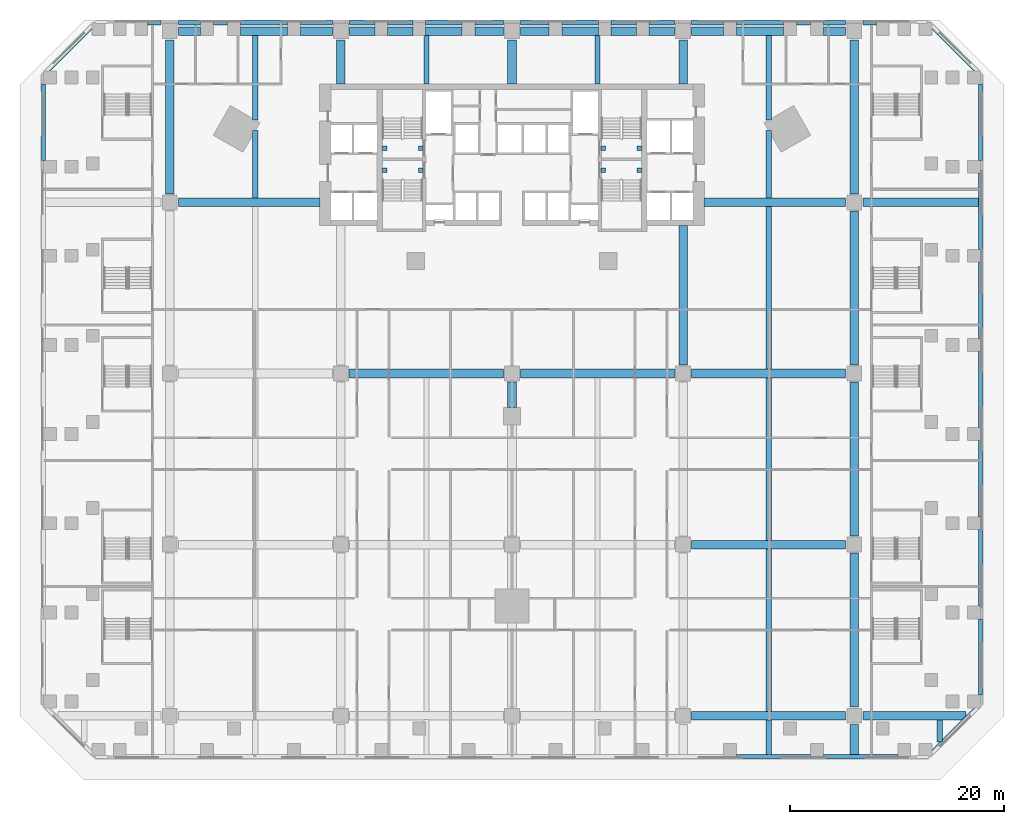
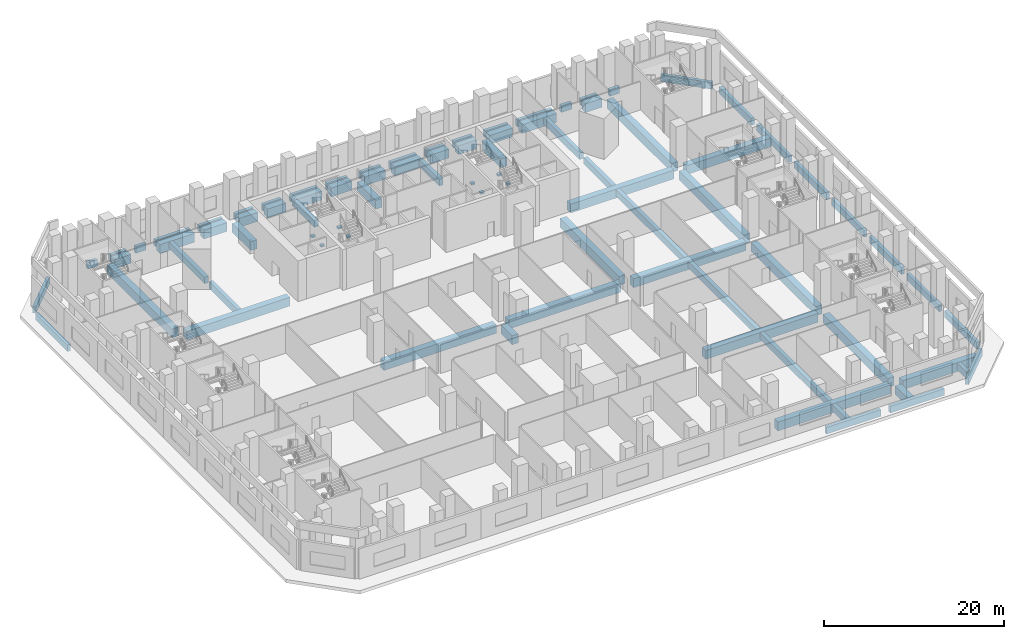
# One storey, part 2 of 22: 84 beams.
"""IFC4 building model written with IfcOpenShell, lengths in metres."""

from ifc_helpers import new_model, si_unit, direction, frame, origin, origin_2d, place, context, subcontext, project, spatial, rectangle, extrude, material, material_profile, profile_set, type_object, element, save


model = new_model("IFC4")

# Units and contexts
model_context = context("Model", 3, precision=1e-05, world=origin(), true_north=direction((0.0, 1.0)))
body_context = subcontext(model_context, "Body", "Model", "MODEL_VIEW")
ifc_project = project(units=[si_unit("LENGTHUNIT", "METRE"), si_unit("AREAUNIT", "SQUARE_METRE"), si_unit("VOLUMEUNIT", "CUBIC_METRE"), si_unit("PLANEANGLEUNIT", "RADIAN"), si_unit("MASSUNIT", "GRAM", prefix="KILO")], contexts=[model_context])

# Site, building, storey
site_placement = place(None, origin())
site = spatial("IfcSite", under=ifc_project, at=site_placement, CompositionType="ELEMENT")
building_placement = place(site_placement, origin())
building = spatial("IfcBuilding", under=site, at=building_placement, Name="Calabash Gate Tower", CompositionType="ELEMENT")
storey_placement = place(building_placement, frame((0.0, 0.0, 29.0)))
storey = spatial("IfcBuildingStorey", under=building, at=storey_placement, Name="L03", CompositionType="ELEMENT", Elevation=29.0)

# Beams
ifc_material_1 = material(Name="Concrete C50/60", Category="concrete")
ifc_material_profile_1 = material_profile(ifc_material_1, rectangle(XDim=0.39990234375, YDim=0.89990234375, at=origin_2d()))
ifc_profile_set_1 = profile_set([ifc_material_profile_1], Name="Concrete C50/60")
beam_type_1 = type_object("IfcBeamType", Name="Edge beam RC 400x900 Concrete C50/60", PredefinedType="BEAM", material=ifc_profile_set_1)
beam_1_placement = place(storey_placement, frame((-43.800048828125, 11.93701171875, -0.89990234375), z_axis=(0.0, 1.0, 0.0), x_axis=(-1.0, 0.0, 0.0)))
element("IfcBeam", 1, at=beam_1_placement, inside=storey, type_object=beam_type_1, Name="Edge beam L03 8", PredefinedType="BEAM", context=body_context, shape_type="SweptSolid", body=[
    extrude(rectangle(XDim=0.39990234375, YDim=0.89990234375, at=origin_2d()), origin(), (0.0, 0.0, 1.0), 7.132080078125),
])
beam_2_placement = place(storey_placement, frame((-43.464111328125, 20.2529296875, -0.89990234375), z_axis=(0.707106781187, 0.707106781187, 0.0), x_axis=(-0.707106781187, 0.707106781187, 0.0)))
element("IfcBeam", 2, at=beam_2_placement, inside=storey, type_object=beam_type_1, Name="Edge beam L03 9", PredefinedType="BEAM", context=body_context, shape_type="SweptSolid", body=[
    extrude(rectangle(XDim=0.39990234375, YDim=0.89990234375, at=origin_2d()), origin(), (0.0, 0.0, 1.0), 5.965087890625),
])
beam_3_placement = place(storey_placement, frame((-34.069091796875, 24.800048828125, -0.89990234375), z_axis=(1.0, 0.0, 0.0), x_axis=(0.0, 1.0, 0.0)))
element("IfcBeam", 3, at=beam_3_placement, inside=storey, type_object=beam_type_1, Name="Edge beam L03 10", PredefinedType="BEAM", context=body_context, shape_type="SweptSolid", body=[
    extrude(rectangle(XDim=0.39990234375, YDim=0.89990234375, at=origin_2d()), origin(), (0.0, 0.0, 1.0), 1.26904296875),
])
beam_4_placement = place(storey_placement, frame((-31.199951171875, 24.800048828125, -0.89990234375), z_axis=(1.0, 0.0, 0.0), x_axis=(0.0, 1.0, 0.0)))
element("IfcBeam", 4, at=beam_4_placement, inside=storey, type_object=beam_type_1, Name="Edge beam L03 11", PredefinedType="BEAM", context=body_context, shape_type="SweptSolid", body=[
    extrude(rectangle(XDim=0.39990234375, YDim=0.89990234375, at=origin_2d()), origin(), (0.0, 0.0, 1.0), 2.079833984375),
])
beam_5_placement = place(storey_placement, frame((-27.919921875, 24.800048828125, -0.89990234375), z_axis=(1.0, 0.0, 0.0), x_axis=(0.0, 1.0, 0.0)))
element("IfcBeam", 5, at=beam_5_placement, inside=storey, type_object=beam_type_1, Name="Edge beam L03 12", PredefinedType="BEAM", context=body_context, shape_type="SweptSolid", body=[
    extrude(rectangle(XDim=0.39990234375, YDim=0.89990234375, at=origin_2d()), origin(), (0.0, 0.0, 1.0), 1.31787109375),
])
beam_6_placement = place(storey_placement, frame((-25.40087890625, 24.800048828125, -0.89990234375), z_axis=(1.0, 0.0, 0.0), x_axis=(0.0, 1.0, 0.0)))
element("IfcBeam", 6, at=beam_6_placement, inside=storey, type_object=beam_type_1, Name="Edge beam L03 13", PredefinedType="BEAM", context=body_context, shape_type="SweptSolid", body=[
    extrude(rectangle(XDim=0.39990234375, YDim=0.89990234375, at=origin_2d()), origin(), (0.0, 0.0, 1.0), 4.428955078125),
])
beam_7_placement = place(storey_placement, frame((-19.77099609375, 24.800048828125, -0.89990234375), z_axis=(1.0, 0.0, 0.0), x_axis=(0.0, 1.0, 0.0)))
element("IfcBeam", 7, at=beam_7_placement, inside=storey, type_object=beam_type_1, Name="Edge beam L03 14", PredefinedType="BEAM", context=body_context, shape_type="SweptSolid", body=[
    extrude(rectangle(XDim=0.39990234375, YDim=0.89990234375, at=origin_2d()), origin(), (0.0, 0.0, 1.0), 2.970947265625),
])
beam_8_placement = place(storey_placement, frame((-15.199951171875, 24.800048828125, -0.89990234375), z_axis=(1.0, 0.0, 0.0), x_axis=(0.0, 1.0, 0.0)))
element("IfcBeam", 8, at=beam_8_placement, inside=storey, type_object=beam_type_1, Name="Edge beam L03 15", PredefinedType="BEAM", context=body_context, shape_type="SweptSolid", body=[
    extrude(rectangle(XDim=0.39990234375, YDim=0.89990234375, at=origin_2d()), origin(), (0.0, 0.0, 1.0), 2.376953125),
])
beam_9_placement = place(storey_placement, frame((-11.623046875, 24.800048828125, -0.89990234375), z_axis=(1.0, 0.0, 0.0), x_axis=(0.0, 1.0, 0.0)))
element("IfcBeam", 9, at=beam_9_placement, inside=storey, type_object=beam_type_1, Name="Edge beam L03 16", PredefinedType="BEAM", context=body_context, shape_type="SweptSolid", body=[
    extrude(rectangle(XDim=0.39990234375, YDim=0.89990234375, at=origin_2d()), origin(), (0.0, 0.0, 1.0), 2.35595703125),
])
beam_10_placement = place(storey_placement, frame((-8.06689453125, 24.800048828125, -0.89990234375), z_axis=(1.0, 0.0, 0.0), x_axis=(0.0, 1.0, 0.0)))
element("IfcBeam", 10, at=beam_10_placement, inside=storey, type_object=beam_type_1, Name="Edge beam L03 17", PredefinedType="BEAM", context=body_context, shape_type="SweptSolid", body=[
    extrude(rectangle(XDim=0.39990234375, YDim=0.89990234375, at=origin_2d()), origin(), (0.0, 0.0, 1.0), 3.392822265625),
])
for number, where, z_axis, x_axis, name in (
    (11, (-3.47412109375, 24.800048828125, -0.89990234375), (1.0, 0.0, 0.0), (0.0, 1.0, 0.0), "Edge beam L03 18"),
    (12, (0.800048828125, 24.800048828125, -0.89990234375), (1.0, 0.0, 0.0), (0.0, 1.0, 0.0), "Edge beam L03 19"),
):
    element("IfcBeam", number, at=place(storey_placement, frame(where, z_axis=z_axis, x_axis=x_axis)), inside=storey, type_object=beam_type_1, Name=name, PredefinedType="BEAM", context=body_context, shape_type="SweptSolid", body=[
        extrude(rectangle(XDim=0.39990234375, YDim=0.89990234375, at=origin_2d()), origin(), (0.0, 0.0, 1.0), 2.674072265625),
    ])
beam_11_placement = place(storey_placement, frame((4.674072265625, 24.800048828125, -0.89990234375), z_axis=(1.0, 0.0, 0.0), x_axis=(0.0, 1.0, 0.0)))
element("IfcBeam", 13, at=beam_11_placement, inside=storey, type_object=beam_type_1, Name="Edge beam L03 20", PredefinedType="BEAM", context=body_context, shape_type="SweptSolid", body=[
    extrude(rectangle(XDim=0.39990234375, YDim=0.89990234375, at=origin_2d()), origin(), (0.0, 0.0, 1.0), 3.392822265625),
])
beam_12_placement = place(storey_placement, frame((9.26708984375, 24.800048828125, -0.89990234375), z_axis=(1.0, 0.0, 0.0), x_axis=(0.0, 1.0, 0.0)))
element("IfcBeam", 14, at=beam_12_placement, inside=storey, type_object=beam_type_1, Name="Edge beam L03 21", PredefinedType="BEAM", context=body_context, shape_type="SweptSolid", body=[
    extrude(rectangle(XDim=0.39990234375, YDim=0.89990234375, at=origin_2d()), origin(), (0.0, 0.0, 1.0), 2.35595703125),
])
beam_13_placement = place(storey_placement, frame((12.822998046875, 24.800048828125, -0.89990234375), z_axis=(1.0, 0.0, 0.0), x_axis=(0.0, 1.0, 0.0)))
element("IfcBeam", 15, at=beam_13_placement, inside=storey, type_object=beam_type_1, Name="Edge beam L03 22", PredefinedType="BEAM", context=body_context, shape_type="SweptSolid", body=[
    extrude(rectangle(XDim=0.39990234375, YDim=0.89990234375, at=origin_2d()), origin(), (0.0, 0.0, 1.0), 2.376953125),
])
beam_14_placement = place(storey_placement, frame((16.800048828125, 24.800048828125, -0.89990234375), z_axis=(1.0, 0.0, 0.0), x_axis=(0.0, 1.0, 0.0)))
element("IfcBeam", 16, at=beam_14_placement, inside=storey, type_object=beam_type_1, Name="Edge beam L03 23", PredefinedType="BEAM", context=body_context, shape_type="SweptSolid", body=[
    extrude(rectangle(XDim=0.39990234375, YDim=0.89990234375, at=origin_2d()), origin(), (0.0, 0.0, 1.0), 2.970947265625),
])
beam_15_placement = place(storey_placement, frame((20.971923828125, 24.800048828125, -0.89990234375), z_axis=(1.0, 0.0, 0.0), x_axis=(0.0, 1.0, 0.0)))
element("IfcBeam", 17, at=beam_15_placement, inside=storey, type_object=beam_type_1, Name="Edge beam L03 24", PredefinedType="BEAM", context=body_context, shape_type="SweptSolid", body=[
    extrude(rectangle(XDim=0.39990234375, YDim=0.89990234375, at=origin_2d()), origin(), (0.0, 0.0, 1.0), 4.428955078125),
])
beam_16_placement = place(storey_placement, frame((26.60205078125, 24.800048828125, -0.89990234375), z_axis=(1.0, 0.0, 0.0), x_axis=(0.0, 1.0, 0.0)))
element("IfcBeam", 18, at=beam_16_placement, inside=storey, type_object=beam_type_1, Name="Edge beam L03 25", PredefinedType="BEAM", context=body_context, shape_type="SweptSolid", body=[
    extrude(rectangle(XDim=0.39990234375, YDim=0.89990234375, at=origin_2d()), origin(), (0.0, 0.0, 1.0), 1.31787109375),
])
beam_17_placement = place(storey_placement, frame((29.1201171875, 24.800048828125, -0.89990234375), z_axis=(1.0, 0.0, 0.0), x_axis=(0.0, 1.0, 0.0)))
element("IfcBeam", 19, at=beam_17_placement, inside=storey, type_object=beam_type_1, Name="Edge beam L03 26", PredefinedType="BEAM", context=body_context, shape_type="SweptSolid", body=[
    extrude(rectangle(XDim=0.39990234375, YDim=0.89990234375, at=origin_2d()), origin(), (0.0, 0.0, 1.0), 2.079833984375),
])
beam_18_placement = place(storey_placement, frame((32.800048828125, 24.800048828125, -0.89990234375), z_axis=(1.0, 0.0, 0.0), x_axis=(0.0, 1.0, 0.0)))
element("IfcBeam", 20, at=beam_18_placement, inside=storey, type_object=beam_type_1, Name="Edge beam L03 27", PredefinedType="BEAM", context=body_context, shape_type="SweptSolid", body=[
    extrude(rectangle(XDim=0.39990234375, YDim=0.89990234375, at=origin_2d()), origin(), (0.0, 0.0, 1.0), 1.26904296875),
])
beam_19_placement = place(storey_placement, frame((39.24609375, 24.470947265625, -0.89990234375), z_axis=(0.707106781187, -0.707106781187, 0.0), x_axis=(0.707106781187, 0.707106781187, 0.0)))
element("IfcBeam", 21, at=beam_19_placement, inside=storey, type_object=beam_type_1, Name="Edge beam L03 28", PredefinedType="BEAM", context=body_context, shape_type="SweptSolid", body=[
    extrude(rectangle(XDim=0.39990234375, YDim=0.89990234375, at=origin_2d()), origin(), (0.0, 0.0, 1.0), 5.965087890625),
])
beam_20_placement = place(storey_placement, frame((43.800048828125, 19.069091796875, -0.89990234375), z_axis=(0.0, -1.0, 0.0), x_axis=(1.0, 0.0, 0.0)))
element("IfcBeam", 22, at=beam_20_placement, inside=storey, type_object=beam_type_1, Name="Edge beam L03 29", PredefinedType="BEAM", context=body_context, shape_type="SweptSolid", body=[
    extrude(rectangle(XDim=0.39990234375, YDim=0.89990234375, at=origin_2d()), origin(), (0.0, 0.0, 1.0), 7.132080078125),
])
beam_21_placement = place(storey_placement, frame((43.800048828125, 10.737060546875, -0.89990234375), z_axis=(0.0, -1.0, 0.0), x_axis=(1.0, 0.0, 0.0)))
element("IfcBeam", 23, at=beam_21_placement, inside=storey, type_object=beam_type_1, Name="Edge beam L03 30", PredefinedType="BEAM", context=body_context, shape_type="SweptSolid", body=[
    extrude(rectangle(XDim=0.39990234375, YDim=0.89990234375, at=origin_2d()), origin(), (0.0, 0.0, 1.0), 7.135986328125),
])
for number, where, z_axis, x_axis, name in (
    (24, (43.800048828125, 2.40087890625, -0.89990234375), (0.0, -1.0, 0.0), (1.0, 0.0, 0.0), "Edge beam L03 31"),
    (25, (43.800048828125, -5.93310546875, -0.89990234375), (0.0, -1.0, 0.0), (1.0, 0.0, 0.0), "Edge beam L03 32"),
    (26, (43.800048828125, -14.26708984375, -0.89990234375), (0.0, -1.0, 0.0), (1.0, 0.0, 0.0), "Edge beam L03 33"),
):
    element("IfcBeam", number, at=place(storey_placement, frame(where, z_axis=z_axis, x_axis=x_axis)), inside=storey, type_object=beam_type_1, Name=name, PredefinedType="BEAM", context=body_context, shape_type="SweptSolid", body=[
        extrude(rectangle(XDim=0.39990234375, YDim=0.89990234375, at=origin_2d()), origin(), (0.0, 0.0, 1.0), 7.1337890625),
    ])
beam_22_placement = place(storey_placement, frame((43.800048828125, -22.60107421875, -0.89990234375), z_axis=(0.0, -1.0, 0.0), x_axis=(1.0, 0.0, 0.0)))
element("IfcBeam", 27, at=beam_22_placement, inside=storey, type_object=beam_type_1, Name="Edge beam L03 34", PredefinedType="BEAM", context=body_context, shape_type="SweptSolid", body=[
    extrude(rectangle(XDim=0.39990234375, YDim=0.89990234375, at=origin_2d()), origin(), (0.0, 0.0, 1.0), 7.1318359375),
])
beam_23_placement = place(storey_placement, frame((43.800048828125, -30.93310546875, -0.89990234375), z_axis=(0.0, -1.0, 0.0), x_axis=(1.0, 0.0, 0.0)))
element("IfcBeam", 28, at=beam_23_placement, inside=storey, type_object=beam_type_1, Name="Edge beam L03 35", PredefinedType="BEAM", context=body_context, shape_type="SweptSolid", body=[
    extrude(rectangle(XDim=0.39990234375, YDim=0.89990234375, at=origin_2d()), origin(), (0.0, 0.0, 1.0), 7.135986328125),
])
beam_24_placement = place(storey_placement, frame((43.470947265625, -39.24609375, -0.89990234375), z_axis=(-0.707106781187, -0.707106781187, 0.0), x_axis=(0.707106781187, -0.707106781187, 0.0)))
element("IfcBeam", 29, at=beam_24_placement, inside=storey, type_object=beam_type_1, Name="Edge beam L03 36", PredefinedType="BEAM", context=body_context, shape_type="SweptSolid", body=[
    extrude(rectangle(XDim=0.39990234375, YDim=0.89990234375, at=origin_2d()), origin(), (0.0, 0.0, 1.0), 5.974853515625),
])
beam_25_placement = place(storey_placement, frame((36.069091796875, -43.800048828125, -0.89990234375), z_axis=(-1.0, 0.0, 0.0), x_axis=(0.0, -1.0, 0.0)))
element("IfcBeam", 30, at=beam_25_placement, inside=storey, type_object=beam_type_1, Name="Edge beam L03 37", PredefinedType="BEAM", context=body_context, shape_type="SweptSolid", body=[
    extrude(rectangle(XDim=0.39990234375, YDim=0.89990234375, at=origin_2d()), origin(), (0.0, 0.0, 1.0), 6.948974609375),
])
beam_26_placement = place(storey_placement, frame((27.919921875, -43.800048828125, -0.89990234375), z_axis=(-1.0, 0.0, 0.0), x_axis=(0.0, -1.0, 0.0)))
element("IfcBeam", 31, at=beam_26_placement, inside=storey, type_object=beam_type_1, Name="Edge beam L03 38", PredefinedType="BEAM", context=body_context, shape_type="SweptSolid", body=[
    extrude(rectangle(XDim=0.39990234375, YDim=0.89990234375, at=origin_2d()), origin(), (0.0, 0.0, 1.0), 6.947998046875),
])
ifc_material_2 = material(Name="Concrete C50/60", Category="concrete")
ifc_material_profile_2 = material_profile(ifc_material_2, rectangle(XDim=0.5, YDim=0.89990234375, at=origin_2d()))
ifc_profile_set_2 = profile_set([ifc_material_profile_2], Name="Concrete C50/60")
beam_type_2 = type_object("IfcBeamType", Name="Floor beam RC 500x900 Concrete C50/60", PredefinedType="BEAM", material=ifc_profile_set_2)
beam_27_placement = place(storey_placement, frame((-24.0, 8.39990234375, -0.89990234375), z_axis=(0.0, 1.0, 0.0), x_axis=(-1.0, 0.0, 0.0)))
element("IfcBeam", 32, at=beam_27_placement, inside=storey, type_object=beam_type_2, Name="Floor beam L03 6", PredefinedType="BEAM", context=body_context, shape_type="SweptSolid", body=[
    extrude(rectangle(XDim=0.5, YDim=0.89990234375, at=origin_2d()), origin(), (0.0, 0.0, 1.0), 6.319091796875),
])
beam_28_placement = place(storey_placement, frame((-24.0, 15.681884765625, -0.89990234375), z_axis=(0.0, 1.0, 0.0), x_axis=(-1.0, 0.0, 0.0)))
element("IfcBeam", 33, at=beam_28_placement, inside=storey, type_object=beam_type_2, Name="Floor beam L03 7", PredefinedType="BEAM", context=body_context, shape_type="SweptSolid", body=[
    extrude(rectangle(XDim=0.5, YDim=0.89990234375, at=origin_2d()), origin(), (0.0, 0.0, 1.0), 7.918212890625),
])
for number, where, z_axis, x_axis, name in (
    (34, (-8.0, 19.052978515625, -0.89990234375), (0.0, 1.0, 0.0), (-1.0, 0.0, 0.0), "Floor beam L03 11"),
    (35, (8.0, 19.052978515625, -0.89990234375), (0.0, 1.0, 0.0), (-1.0, 0.0, 0.0), "Floor beam L03 15"),
):
    element("IfcBeam", number, at=place(storey_placement, frame(where, z_axis=z_axis, x_axis=x_axis)), inside=storey, type_object=beam_type_2, Name=name, PredefinedType="BEAM", context=body_context, shape_type="SweptSolid", body=[
        extrude(rectangle(XDim=0.5, YDim=0.89990234375, at=origin_2d()), origin(), (0.0, 0.0, 1.0), 4.547119140625),
    ])
beam_29_placement = place(storey_placement, frame((24.0, -43.60009765625, -0.89990234375), z_axis=(0.0, 1.0, 0.0), x_axis=(-1.0, 0.0, 0.0)))
element("IfcBeam", 36, at=beam_29_placement, inside=storey, type_object=beam_type_2, Name="Floor beam L03 16", PredefinedType="BEAM", context=body_context, shape_type="SweptSolid", body=[
    extrude(rectangle(XDim=0.5, YDim=0.89990234375, at=origin_2d()), origin(), (0.0, 0.0, 1.0), 3.2001953125),
])
for number, where, z_axis, x_axis, name in (
    (37, (24.0, -39.60009765625, -0.89990234375), (0.0, 1.0, 0.0), (-1.0, 0.0, 0.0), "Floor beam L03 17"),
    (38, (24.0, -23.60009765625, -0.89990234375), (0.0, 1.0, 0.0), (-1.0, 0.0, 0.0), "Floor beam L03 18"),
    (39, (24.0, -7.60009765625, -0.89990234375), (0.0, 1.0, 0.0), (-1.0, 0.0, 0.0), "Floor beam L03 19"),
):
    element("IfcBeam", number, at=place(storey_placement, frame(where, z_axis=z_axis, x_axis=x_axis)), inside=storey, type_object=beam_type_2, Name=name, PredefinedType="BEAM", context=body_context, shape_type="SweptSolid", body=[
        extrude(rectangle(XDim=0.5, YDim=0.89990234375, at=origin_2d()), origin(), (0.0, 0.0, 1.0), 15.2001953125),
    ])
beam_30_placement = place(storey_placement, frame((24.0, 8.39990234375, -0.89990234375), z_axis=(0.0, 1.0, 0.0), x_axis=(-1.0, 0.0, 0.0)))
element("IfcBeam", 40, at=beam_30_placement, inside=storey, type_object=beam_type_2, Name="Floor beam L03 20", PredefinedType="BEAM", context=body_context, shape_type="SweptSolid", body=[
    extrude(rectangle(XDim=0.5, YDim=0.89990234375, at=origin_2d()), origin(), (0.0, 0.0, 1.0), 6.319091796875),
])
beam_31_placement = place(storey_placement, frame((24.0, 15.681884765625, -0.89990234375), z_axis=(0.0, 1.0, 0.0), x_axis=(-1.0, 0.0, 0.0)))
element("IfcBeam", 41, at=beam_31_placement, inside=storey, type_object=beam_type_2, Name="Floor beam L03 21", PredefinedType="BEAM", context=body_context, shape_type="SweptSolid", body=[
    extrude(rectangle(XDim=0.5, YDim=0.89990234375, at=origin_2d()), origin(), (0.0, 0.0, 1.0), 7.918212890625),
])
beam_32_placement = place(storey_placement, frame((40.0, -42.466064453125, -0.89990234375), z_axis=(0.0, 1.0, 0.0), x_axis=(-1.0, 0.0, 0.0)))
element("IfcBeam", 42, at=beam_32_placement, inside=storey, type_object=beam_type_2, Name="Floor beam L03 22", PredefinedType="BEAM", context=body_context, shape_type="SweptSolid", body=[
    extrude(rectangle(XDim=0.5, YDim=0.89990234375, at=origin_2d()), origin(), (0.0, 0.0, 1.0), 2.066162109375),
])
ifc_material_3 = material(Name="Concrete C50/60", Category="concrete")
ifc_material_profile_3 = material_profile(ifc_material_3, rectangle(XDim=0.800048828125, YDim=1.199951171875, at=origin_2d()))
ifc_profile_set_3 = profile_set([ifc_material_profile_3], Name="Concrete C50/60")
beam_type_3 = type_object("IfcBeamType", Name="Grid girder RC 800x1200 Concrete C50/60", PredefinedType="BEAM", material=ifc_profile_set_3)
beam_33_placement = place(storey_placement, frame((-32.0, 8.800048828125, -1.050048828125), z_axis=(0.0, 1.0, 0.0), x_axis=(-1.0, 0.0, 0.0)))
element("IfcBeam", 43, at=beam_33_placement, inside=storey, type_object=beam_type_3, Name="Grid girder L03 5", PredefinedType="BEAM", context=body_context, shape_type="SweptSolid", body=[
    extrude(rectangle(XDim=0.800048828125, YDim=1.199951171875, at=origin_2d()), origin(), (0.0, 0.0, 1.0), 14.39990234375),
])
beam_34_placement = place(storey_placement, frame((-16.0, 19.052978515625, -1.050048828125), z_axis=(0.0, 1.0, 0.0), x_axis=(-1.0, 0.0, 0.0)))
element("IfcBeam", 44, at=beam_34_placement, inside=storey, type_object=beam_type_3, Name="Grid girder L03 10", PredefinedType="BEAM", context=body_context, shape_type="SweptSolid", body=[
    extrude(rectangle(XDim=0.800048828125, YDim=1.199951171875, at=origin_2d()), origin(), (0.0, 0.0, 1.0), 4.14697265625),
])
beam_35_placement = place(storey_placement, frame((0.0, -11.199951171875, -1.050048828125), z_axis=(0.0, 1.0, 0.0), x_axis=(-1.0, 0.0, 0.0)))
element("IfcBeam", 45, at=beam_35_placement, inside=storey, type_object=beam_type_3, Name="Grid girder L03 15", PredefinedType="BEAM", context=body_context, shape_type="SweptSolid", body=[
    extrude(rectangle(XDim=0.800048828125, YDim=1.199951171875, at=origin_2d()), origin(), (0.0, 0.0, 1.0), 2.39990234375),
])
beam_36_placement = place(storey_placement, frame((0.0, 19.052978515625, -1.050048828125), z_axis=(0.0, 1.0, 0.0), x_axis=(-1.0, 0.0, 0.0)))
element("IfcBeam", 46, at=beam_36_placement, inside=storey, type_object=beam_type_3, Name="Grid girder L03 16", PredefinedType="BEAM", context=body_context, shape_type="SweptSolid", body=[
    extrude(rectangle(XDim=0.800048828125, YDim=1.199951171875, at=origin_2d()), origin(), (0.0, 0.0, 1.0), 4.14697265625),
])
beam_37_placement = place(storey_placement, frame((16.0, -7.199951171875, -1.050048828125), z_axis=(0.0, 1.0, 0.0), x_axis=(-1.0, 0.0, 0.0)))
element("IfcBeam", 47, at=beam_37_placement, inside=storey, type_object=beam_type_3, Name="Grid girder L03 20", PredefinedType="BEAM", context=body_context, shape_type="SweptSolid", body=[
    extrude(rectangle(XDim=0.800048828125, YDim=1.199951171875, at=origin_2d()), origin(), (0.0, 0.0, 1.0), 13.052978515625),
])
beam_38_placement = place(storey_placement, frame((16.0, 19.052978515625, -1.050048828125), z_axis=(0.0, 1.0, 0.0), x_axis=(-1.0, 0.0, 0.0)))
element("IfcBeam", 48, at=beam_38_placement, inside=storey, type_object=beam_type_3, Name="Grid girder L03 21", PredefinedType="BEAM", context=body_context, shape_type="SweptSolid", body=[
    extrude(rectangle(XDim=0.800048828125, YDim=1.199951171875, at=origin_2d()), origin(), (0.0, 0.0, 1.0), 4.14697265625),
])
beam_39_placement = place(storey_placement, frame((32.0, -43.60009765625, -1.050048828125), z_axis=(0.0, 1.0, 0.0), x_axis=(-1.0, 0.0, 0.0)))
element("IfcBeam", 49, at=beam_39_placement, inside=storey, type_object=beam_type_3, Name="Grid girder L03 22", PredefinedType="BEAM", context=body_context, shape_type="SweptSolid", body=[
    extrude(rectangle(XDim=0.800048828125, YDim=1.199951171875, at=origin_2d()), origin(), (0.0, 0.0, 1.0), 2.800048828125),
])
for number, where, z_axis, x_axis, name in (
    (50, (32.0, -39.199951171875, -1.050048828125), (0.0, 1.0, 0.0), (-1.0, 0.0, 0.0), "Grid girder L03 23"),
    (51, (32.0, -23.199951171875, -1.050048828125), (0.0, 1.0, 0.0), (-1.0, 0.0, 0.0), "Grid girder L03 24"),
    (52, (32.0, -7.199951171875, -1.050048828125), (0.0, 1.0, 0.0), (-1.0, 0.0, 0.0), "Grid girder L03 25"),
    (53, (32.0, 8.800048828125, -1.050048828125), (0.0, 1.0, 0.0), (-1.0, 0.0, 0.0), "Grid girder L03 26"),
    (54, (16.800048828125, -40.0, -1.050048828125), (1.0, 0.0, 0.0), (0.0, 1.0, 0.0), "Grid girder L03 31"),
):
    element("IfcBeam", number, at=place(storey_placement, frame(where, z_axis=z_axis, x_axis=x_axis)), inside=storey, type_object=beam_type_3, Name=name, PredefinedType="BEAM", context=body_context, shape_type="SweptSolid", body=[
        extrude(rectangle(XDim=0.800048828125, YDim=1.199951171875, at=origin_2d()), origin(), (0.0, 0.0, 1.0), 14.39990234375),
    ])
beam_40_placement = place(storey_placement, frame((32.800048828125, -40.0, -1.050048828125), z_axis=(1.0, 0.0, 0.0), x_axis=(0.0, 1.0, 0.0)))
element("IfcBeam", 55, at=beam_40_placement, inside=storey, type_object=beam_type_3, Name="Grid girder L03 32", PredefinedType="BEAM", context=body_context, shape_type="SweptSolid", body=[
    extrude(rectangle(XDim=0.800048828125, YDim=1.199951171875, at=origin_2d()), origin(), (0.0, 0.0, 1.0), 9.666015625),
])
for number, where, z_axis, x_axis, name in (
    (56, (16.800048828125, -24.0, -1.050048828125), (1.0, 0.0, 0.0), (0.0, 1.0, 0.0), "Grid girder L03 36"),
    (57, (-15.199951171875, -8.0, -1.050048828125), (1.0, 0.0, 0.0), (0.0, 1.0, 0.0), "Grid girder L03 38"),
    (58, (0.800048828125, -8.0, -1.050048828125), (1.0, 0.0, 0.0), (0.0, 1.0, 0.0), "Grid girder L03 39"),
    (59, (16.800048828125, -8.0, -1.050048828125), (1.0, 0.0, 0.0), (0.0, 1.0, 0.0), "Grid girder L03 40"),
):
    element("IfcBeam", number, at=place(storey_placement, frame(where, z_axis=z_axis, x_axis=x_axis)), inside=storey, type_object=beam_type_3, Name=name, PredefinedType="BEAM", context=body_context, shape_type="SweptSolid", body=[
        extrude(rectangle(XDim=0.800048828125, YDim=1.199951171875, at=origin_2d()), origin(), (0.0, 0.0, 1.0), 14.39990234375),
    ])
for number, where, z_axis, x_axis, name in (
    (60, (-31.199951171875, 8.0, -1.050048828125), (1.0, 0.0, 0.0), (0.0, 1.0, 0.0), "Grid girder L03 42"),
    (61, (17.968017578125, 8.0, -1.050048828125), (1.0, 0.0, 0.0), (0.0, 1.0, 0.0), "Grid girder L03 43"),
):
    element("IfcBeam", number, at=place(storey_placement, frame(where, z_axis=z_axis, x_axis=x_axis)), inside=storey, type_object=beam_type_3, Name=name, PredefinedType="BEAM", context=body_context, shape_type="SweptSolid", body=[
        extrude(rectangle(XDim=0.800048828125, YDim=1.199951171875, at=origin_2d()), origin(), (0.0, 0.0, 1.0), 13.23193359375),
    ])
beam_41_placement = place(storey_placement, frame((32.800048828125, 8.0, -1.050048828125), z_axis=(1.0, 0.0, 0.0), x_axis=(0.0, 1.0, 0.0)))
element("IfcBeam", 62, at=beam_41_placement, inside=storey, type_object=beam_type_3, Name="Grid girder L03 44", PredefinedType="BEAM", context=body_context, shape_type="SweptSolid", body=[
    extrude(rectangle(XDim=0.800048828125, YDim=1.199951171875, at=origin_2d()), origin(), (0.0, 0.0, 1.0), 10.800048828125),
])
beam_42_placement = place(storey_placement, frame((-31.199951171875, 24.0, -1.050048828125), z_axis=(1.0, 0.0, 0.0), x_axis=(0.0, 1.0, 0.0)))
element("IfcBeam", 63, at=beam_42_placement, inside=storey, type_object=beam_type_3, Name="Grid girder L03 45", PredefinedType="BEAM", context=body_context, shape_type="SweptSolid", body=[
    extrude(rectangle(XDim=0.800048828125, YDim=1.199951171875, at=origin_2d()), origin(), (0.0, 0.0, 1.0), 2.079833984375),
])
beam_43_placement = place(storey_placement, frame((-25.40087890625, 24.0, -1.050048828125), z_axis=(1.0, 0.0, 0.0), x_axis=(0.0, 1.0, 0.0)))
element("IfcBeam", 64, at=beam_43_placement, inside=storey, type_object=beam_type_3, Name="Grid girder L03 46", PredefinedType="BEAM", context=body_context, shape_type="SweptSolid", body=[
    extrude(rectangle(XDim=0.800048828125, YDim=1.199951171875, at=origin_2d()), origin(), (0.0, 0.0, 1.0), 4.428955078125),
])
beam_44_placement = place(storey_placement, frame((-19.77099609375, 24.0, -1.050048828125), z_axis=(1.0, 0.0, 0.0), x_axis=(0.0, 1.0, 0.0)))
element("IfcBeam", 65, at=beam_44_placement, inside=storey, type_object=beam_type_3, Name="Grid girder L03 47", PredefinedType="BEAM", context=body_context, shape_type="SweptSolid", body=[
    extrude(rectangle(XDim=0.800048828125, YDim=1.199951171875, at=origin_2d()), origin(), (0.0, 0.0, 1.0), 2.970947265625),
])
beam_45_placement = place(storey_placement, frame((-15.199951171875, 24.0, -1.050048828125), z_axis=(1.0, 0.0, 0.0), x_axis=(0.0, 1.0, 0.0)))
element("IfcBeam", 66, at=beam_45_placement, inside=storey, type_object=beam_type_3, Name="Grid girder L03 48", PredefinedType="BEAM", context=body_context, shape_type="SweptSolid", body=[
    extrude(rectangle(XDim=0.800048828125, YDim=1.199951171875, at=origin_2d()), origin(), (0.0, 0.0, 1.0), 2.376953125),
])
beam_46_placement = place(storey_placement, frame((-11.623046875, 24.0, -1.050048828125), z_axis=(1.0, 0.0, 0.0), x_axis=(0.0, 1.0, 0.0)))
element("IfcBeam", 67, at=beam_46_placement, inside=storey, type_object=beam_type_3, Name="Grid girder L03 49", PredefinedType="BEAM", context=body_context, shape_type="SweptSolid", body=[
    extrude(rectangle(XDim=0.800048828125, YDim=1.199951171875, at=origin_2d()), origin(), (0.0, 0.0, 1.0), 2.35595703125),
])
beam_47_placement = place(storey_placement, frame((-8.06689453125, 24.0, -1.050048828125), z_axis=(1.0, 0.0, 0.0), x_axis=(0.0, 1.0, 0.0)))
element("IfcBeam", 68, at=beam_47_placement, inside=storey, type_object=beam_type_3, Name="Grid girder L03 50", PredefinedType="BEAM", context=body_context, shape_type="SweptSolid", body=[
    extrude(rectangle(XDim=0.800048828125, YDim=1.199951171875, at=origin_2d()), origin(), (0.0, 0.0, 1.0), 3.392822265625),
])
for number, where, z_axis, x_axis, name in (
    (69, (-3.47412109375, 24.0, -1.050048828125), (1.0, 0.0, 0.0), (0.0, 1.0, 0.0), "Grid girder L03 51"),
    (70, (0.800048828125, 24.0, -1.050048828125), (1.0, 0.0, 0.0), (0.0, 1.0, 0.0), "Grid girder L03 52"),
):
    element("IfcBeam", number, at=place(storey_placement, frame(where, z_axis=z_axis, x_axis=x_axis)), inside=storey, type_object=beam_type_3, Name=name, PredefinedType="BEAM", context=body_context, shape_type="SweptSolid", body=[
        extrude(rectangle(XDim=0.800048828125, YDim=1.199951171875, at=origin_2d()), origin(), (0.0, 0.0, 1.0), 2.674072265625),
    ])
beam_48_placement = place(storey_placement, frame((4.674072265625, 24.0, -1.050048828125), z_axis=(1.0, 0.0, 0.0), x_axis=(0.0, 1.0, 0.0)))
element("IfcBeam", 71, at=beam_48_placement, inside=storey, type_object=beam_type_3, Name="Grid girder L03 53", PredefinedType="BEAM", context=body_context, shape_type="SweptSolid", body=[
    extrude(rectangle(XDim=0.800048828125, YDim=1.199951171875, at=origin_2d()), origin(), (0.0, 0.0, 1.0), 3.392822265625),
])
beam_49_placement = place(storey_placement, frame((9.26708984375, 24.0, -1.050048828125), z_axis=(1.0, 0.0, 0.0), x_axis=(0.0, 1.0, 0.0)))
element("IfcBeam", 72, at=beam_49_placement, inside=storey, type_object=beam_type_3, Name="Grid girder L03 54", PredefinedType="BEAM", context=body_context, shape_type="SweptSolid", body=[
    extrude(rectangle(XDim=0.800048828125, YDim=1.199951171875, at=origin_2d()), origin(), (0.0, 0.0, 1.0), 2.35595703125),
])
beam_50_placement = place(storey_placement, frame((12.822998046875, 24.0, -1.050048828125), z_axis=(1.0, 0.0, 0.0), x_axis=(0.0, 1.0, 0.0)))
element("IfcBeam", 73, at=beam_50_placement, inside=storey, type_object=beam_type_3, Name="Grid girder L03 55", PredefinedType="BEAM", context=body_context, shape_type="SweptSolid", body=[
    extrude(rectangle(XDim=0.800048828125, YDim=1.199951171875, at=origin_2d()), origin(), (0.0, 0.0, 1.0), 2.376953125),
])
beam_51_placement = place(storey_placement, frame((16.800048828125, 24.0, -1.050048828125), z_axis=(1.0, 0.0, 0.0), x_axis=(0.0, 1.0, 0.0)))
element("IfcBeam", 74, at=beam_51_placement, inside=storey, type_object=beam_type_3, Name="Grid girder L03 56", PredefinedType="BEAM", context=body_context, shape_type="SweptSolid", body=[
    extrude(rectangle(XDim=0.800048828125, YDim=1.199951171875, at=origin_2d()), origin(), (0.0, 0.0, 1.0), 2.970947265625),
])
beam_52_placement = place(storey_placement, frame((20.971923828125, 24.0, -1.050048828125), z_axis=(1.0, 0.0, 0.0), x_axis=(0.0, 1.0, 0.0)))
element("IfcBeam", 75, at=beam_52_placement, inside=storey, type_object=beam_type_3, Name="Grid girder L03 57", PredefinedType="BEAM", context=body_context, shape_type="SweptSolid", body=[
    extrude(rectangle(XDim=0.800048828125, YDim=1.199951171875, at=origin_2d()), origin(), (0.0, 0.0, 1.0), 4.428955078125),
])
beam_53_placement = place(storey_placement, frame((29.1201171875, 24.0, -1.050048828125), z_axis=(1.0, 0.0, 0.0), x_axis=(0.0, 1.0, 0.0)))
element("IfcBeam", 76, at=beam_53_placement, inside=storey, type_object=beam_type_3, Name="Grid girder L03 58", PredefinedType="BEAM", context=body_context, shape_type="SweptSolid", body=[
    extrude(rectangle(XDim=0.800048828125, YDim=1.199951171875, at=origin_2d()), origin(), (0.0, 0.0, 1.0), 2.079833984375),
])
ifc_material_4 = material(Name="Concrete C60/75", Category="concrete")
ifc_material_profile_4 = material_profile(ifc_material_4, rectangle(XDim=0.39990234375, YDim=0.25, at=origin_2d()))
ifc_profile_set_4 = profile_set([ifc_material_profile_4], Name="Concrete C60/75")
beam_type_4 = type_object("IfcBeamType", Name="Landing corbel RC 400x250 Concrete C60/75", PredefinedType="BEAM", material=ifc_profile_set_4)
for number, where, z_axis, x_axis, name in (
    (77, (-12.14990234375, 13.052978515625, 2.424072265625), (1.0, 0.0, 0.0), (0.0, 1.0, 0.0), "Landing corbel ST1-L03/L2 west"),
    (78, (-8.300048828125, 13.052978515625, 2.424072265625), (-1.0, 0.0, 0.0), (0.0, -1.0, 0.0), "Landing corbel ST1-L03/L2 east"),
    (79, (-12.14990234375, 11.0029296875, 2.424072265625), (1.0, 0.0, 0.0), (0.0, 1.0, 0.0), "Landing corbel ST2-L03/L2 west"),
    (80, (-8.300048828125, 11.0029296875, 2.424072265625), (-1.0, 0.0, 0.0), (0.0, -1.0, 0.0), "Landing corbel ST2-L03/L2 east"),
    (81, (8.300048828125, 13.052978515625, 2.424072265625), (1.0, 0.0, 0.0), (0.0, 1.0, 0.0), "Landing corbel ST3-L03/L2 west"),
    (82, (12.14990234375, 13.052978515625, 2.424072265625), (-1.0, 0.0, 0.0), (0.0, -1.0, 0.0), "Landing corbel ST3-L03/L2 east"),
    (83, (8.300048828125, 11.0029296875, 2.424072265625), (1.0, 0.0, 0.0), (0.0, 1.0, 0.0), "Landing corbel ST4-L03/L2 west"),
    (84, (12.14990234375, 11.0029296875, 2.424072265625), (-1.0, 0.0, 0.0), (0.0, -1.0, 0.0), "Landing corbel ST4-L03/L2 east"),
):
    element("IfcBeam", number, at=place(storey_placement, frame(where, z_axis=z_axis, x_axis=x_axis)), inside=storey, type_object=beam_type_4, Name=name, PredefinedType="BEAM", context=body_context, shape_type="SweptSolid", body=[
        extrude(rectangle(XDim=0.39990234375, YDim=0.25, at=origin_2d()), origin(), (0.0, 0.0, 1.0), 0.449951171875),
    ])

save(model, "model.ifc")
